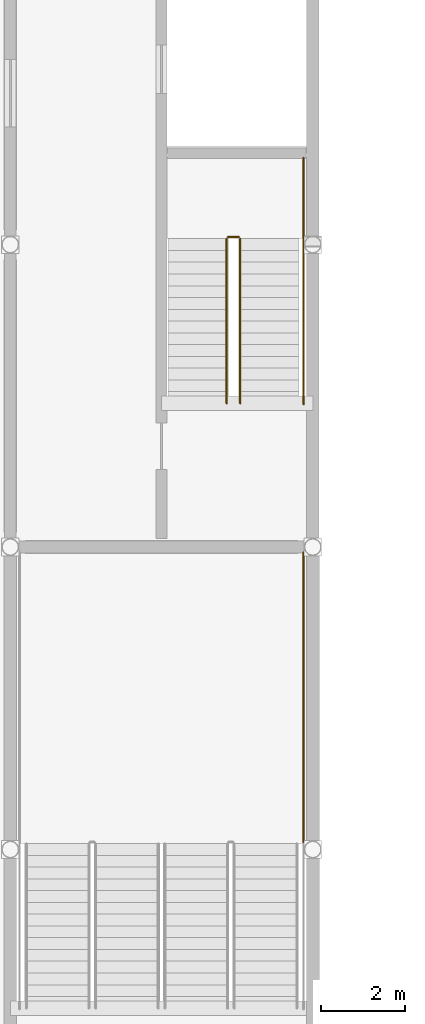
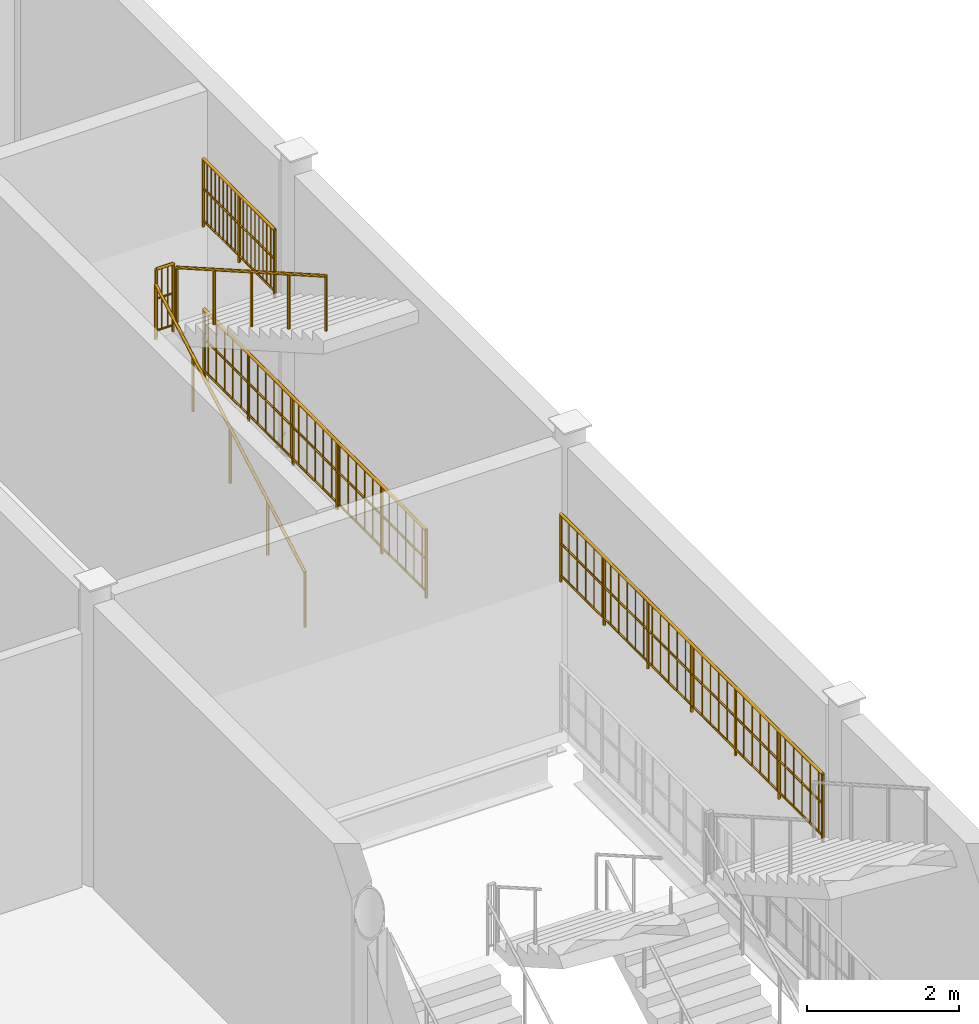
# One storey, part 120 of 120: 6 railings.
"""IFC4 building model written with IfcOpenShell, lengths in metres."""

from ifc_helpers import new_model, si_unit, direction, frame, origin, origin_2d, place, context, subcontext, project, spatial, circle, extrude, material, type_object, element, save


model = new_model("IFC4")

# Units and contexts
model_context = context("Model", 3, precision=1e-05, world=origin(), true_north=direction((0.0, 1.0)))
body_context = subcontext(model_context, "Body", "Model", "MODEL_VIEW")
ifc_project = project(units=[si_unit("LENGTHUNIT", "METRE"), si_unit("AREAUNIT", "SQUARE_METRE"), si_unit("VOLUMEUNIT", "CUBIC_METRE"), si_unit("PLANEANGLEUNIT", "RADIAN"), si_unit("MASSUNIT", "GRAM", prefix="KILO")], contexts=[model_context])

# Site, building, storey
site_placement = place(None, origin())
site = spatial("IfcSite", under=ifc_project, at=site_placement, CompositionType="ELEMENT")
building_placement = place(site_placement, origin())
building = spatial("IfcBuilding", under=site, at=building_placement, Name="Vesperath Aquatics Centre", CompositionType="ELEMENT")
storey_placement = place(building_placement, frame((0.0, 0.0, 10.199951171875)))
storey = spatial("IfcBuildingStorey", under=building, at=storey_placement, Name="L02", CompositionType="ELEMENT", Elevation=10.199951171875)

# Railings
ifc_material_1 = material(Name="Powder-coated galvanized steel safety guard", Category="steel")
railing_type_1 = type_object("IfcRailingType", Name="RL-GRD01", PredefinedType="GUARDRAIL", material=ifc_material_1)
railing_1_placement = place(storey_placement, frame((170.780029296875, 86.580078125, 2.400146484375)))
element("IfcRailing", 1, at=railing_1_placement, inside=storey, type_object=railing_type_1, Name="Stair ST4 Half-Landing Slot Guard GR02 L02", PredefinedType="GUARDRAIL", context=body_context, shape_type="SweptSolid", body=[
    extrude(circle(Radius=0.02392578125, at=origin_2d()), frame((0.0, 0.0, 1.0859375), z_axis=(1.0, 0.0, 0.0), x_axis=(0.0, 1.0, 0.0)), (0.0, 0.0, 1.0), 0.260009765625),
    extrude(circle(Radius=0.01611328125, at=origin_2d()), frame((0.0, 0.0, 0.10009765625), z_axis=(1.0, 0.0, 0.0), x_axis=(0.0, 1.0, 0.0)), (0.0, 0.0, 1.0), 0.260009765625),
    extrude(circle(Radius=0.01611328125, at=origin_2d()), frame((0.0, 0.0, 0.610595703125), z_axis=(1.0, 0.0, 0.0), x_axis=(0.0, 1.0, 0.0)), (0.0, 0.0, 1.0), 0.260009765625),
    extrude(circle(Radius=0.009033203125, at=origin_2d()), frame((0.086669921875, 0.0, 0.10009765625)), (0.0, 0.0, 1.0), 0.9619140625),
    extrude(circle(Radius=0.009033203125, at=origin_2d()), frame((0.17333984375, 0.0, 0.10009765625)), (0.0, 0.0, 1.0), 0.9619140625),
    extrude(circle(Radius=0.02197265625, at=origin_2d()), origin(), (0.0, 0.0, 1.0), 1.0859375),
    extrude(circle(Radius=0.02197265625, at=origin_2d()), frame((0.260009765625, 0.0, 0.0)), (0.0, 0.0, 1.0), 1.0859375),
])
railing_2_placement = place(storey_placement, frame((172.580078125, 86.580078125, 2.400146484375)))
element("IfcRailing", 2, at=railing_2_placement, inside=storey, type_object=railing_type_1, Name="Stair ST4 Half-Landing Wall Guard GR02 L02", PredefinedType="GUARDRAIL", context=body_context, shape_type="SweptSolid", body=[
    extrude(circle(Radius=0.02392578125, at=origin_2d()), frame((0.0, 0.0, 1.0859375), z_axis=(0.0, 1.0, 0.0), x_axis=(-1.0, 0.0, 0.0)), (0.0, 0.0, 1.0), 1.8798828125),
    extrude(circle(Radius=0.01611328125, at=origin_2d()), frame((0.0, 0.0, 0.10009765625), z_axis=(0.0, 1.0, 0.0), x_axis=(-1.0, 0.0, 0.0)), (0.0, 0.0, 1.0), 1.8798828125),
    extrude(circle(Radius=0.01611328125, at=origin_2d()), frame((0.0, 0.0, 0.610595703125), z_axis=(0.0, 1.0, 0.0), x_axis=(-1.0, 0.0, 0.0)), (0.0, 0.0, 1.0), 1.8798828125),
    extrude(circle(Radius=0.009033203125, at=origin_2d()), frame((0.0, 0.1044921875, 0.10009765625)), (0.0, 0.0, 1.0), 0.9619140625),
    extrude(circle(Radius=0.009033203125, at=origin_2d()), frame((0.0, 0.208984375, 0.10009765625)), (0.0, 0.0, 1.0), 0.9619140625),
    extrude(circle(Radius=0.009033203125, at=origin_2d()), frame((0.0, 0.313232421875, 0.10009765625)), (0.0, 0.0, 1.0), 0.9619140625),
    extrude(circle(Radius=0.009033203125, at=origin_2d()), frame((0.0, 0.417724609375, 0.10009765625)), (0.0, 0.0, 1.0), 0.9619140625),
    extrude(circle(Radius=0.009033203125, at=origin_2d()), frame((0.0, 0.522216796875, 0.10009765625)), (0.0, 0.0, 1.0), 0.9619140625),
    extrude(circle(Radius=0.009033203125, at=origin_2d()), frame((0.0, 0.626708984375, 0.10009765625)), (0.0, 0.0, 1.0), 0.9619140625),
    extrude(circle(Radius=0.009033203125, at=origin_2d()), frame((0.0, 0.73095703125, 0.10009765625)), (0.0, 0.0, 1.0), 0.9619140625),
    extrude(circle(Radius=0.009033203125, at=origin_2d()), frame((0.0, 0.83544921875, 0.10009765625)), (0.0, 0.0, 1.0), 0.9619140625),
    extrude(circle(Radius=0.009033203125, at=origin_2d()), frame((0.0, 0.93994140625, 0.10009765625)), (0.0, 0.0, 1.0), 0.9619140625),
    extrude(circle(Radius=0.009033203125, at=origin_2d()), frame((0.0, 1.04443359375, 0.10009765625)), (0.0, 0.0, 1.0), 0.9619140625),
    extrude(circle(Radius=0.009033203125, at=origin_2d()), frame((0.0, 1.14892578125, 0.10009765625)), (0.0, 0.0, 1.0), 0.9619140625),
    extrude(circle(Radius=0.009033203125, at=origin_2d()), frame((0.0, 1.253173828125, 0.10009765625)), (0.0, 0.0, 1.0), 0.9619140625),
    extrude(circle(Radius=0.009033203125, at=origin_2d()), frame((0.0, 1.357666015625, 0.10009765625)), (0.0, 0.0, 1.0), 0.9619140625),
    extrude(circle(Radius=0.009033203125, at=origin_2d()), frame((0.0, 1.462158203125, 0.10009765625)), (0.0, 0.0, 1.0), 0.9619140625),
    extrude(circle(Radius=0.009033203125, at=origin_2d()), frame((0.0, 1.566650390625, 0.10009765625)), (0.0, 0.0, 1.0), 0.9619140625),
    extrude(circle(Radius=0.009033203125, at=origin_2d()), frame((0.0, 1.6708984375, 0.10009765625)), (0.0, 0.0, 1.0), 0.9619140625),
    extrude(circle(Radius=0.009033203125, at=origin_2d()), frame((0.0, 1.775390625, 0.10009765625)), (0.0, 0.0, 1.0), 0.9619140625),
    extrude(circle(Radius=0.02197265625, at=origin_2d()), origin(), (0.0, 0.0, 1.0), 1.0859375),
    extrude(circle(Radius=0.02197265625, at=origin_2d()), frame((0.0, 0.93994140625, 0.0)), (0.0, 0.0, 1.0), 1.0859375),
    extrude(circle(Radius=0.02197265625, at=origin_2d()), frame((0.0, 1.8798828125, 0.0)), (0.0, 0.0, 1.0), 1.0859375),
])
railing_3_placement = place(storey_placement, frame((172.580078125, 82.60009765625, 0.0)))
element("IfcRailing", 3, at=railing_3_placement, inside=storey, type_object=railing_type_1, Name="Stair ST4 Shaft Side Guard GR02 L02", PredefinedType="GUARDRAIL", context=body_context, shape_type="SweptSolid", body=[
    extrude(circle(Radius=0.02392578125, at=origin_2d()), frame((0.0, 0.0, 1.0859375), z_axis=(0.0, 1.0, 0.0), x_axis=(-1.0, 0.0, 0.0)), (0.0, 0.0, 1.0), 5.83984375),
    extrude(circle(Radius=0.01611328125, at=origin_2d()), frame((0.0, 0.0, 0.10009765625), z_axis=(0.0, 1.0, 0.0), x_axis=(-1.0, 0.0, 0.0)), (0.0, 0.0, 1.0), 5.83984375),
    extrude(circle(Radius=0.01611328125, at=origin_2d()), frame((0.0, 0.0, 0.610595703125), z_axis=(0.0, 1.0, 0.0), x_axis=(-1.0, 0.0, 0.0)), (0.0, 0.0, 1.0), 5.83984375),
    extrude(circle(Radius=0.009033203125, at=origin_2d()), frame((0.0, 0.108154296875, 0.10009765625)), (0.0, 0.0, 1.0), 0.9619140625),
    extrude(circle(Radius=0.009033203125, at=origin_2d()), frame((0.0, 0.324462890625, 0.10009765625)), (0.0, 0.0, 1.0), 0.9619140625),
    extrude(circle(Radius=0.009033203125, at=origin_2d()), frame((0.0, 0.540771484375, 0.10009765625)), (0.0, 0.0, 1.0), 0.9619140625),
    extrude(circle(Radius=0.009033203125, at=origin_2d()), frame((0.0, 0.757080078125, 0.10009765625)), (0.0, 0.0, 1.0), 0.9619140625),
    extrude(circle(Radius=0.009033203125, at=origin_2d()), frame((0.0, 0.973388671875, 0.10009765625)), (0.0, 0.0, 1.0), 0.9619140625),
    extrude(circle(Radius=0.009033203125, at=origin_2d()), frame((0.0, 1.189697265625, 0.10009765625)), (0.0, 0.0, 1.0), 0.9619140625),
    extrude(circle(Radius=0.009033203125, at=origin_2d()), frame((0.0, 1.406005859375, 0.10009765625)), (0.0, 0.0, 1.0), 0.9619140625),
    extrude(circle(Radius=0.009033203125, at=origin_2d()), frame((0.0, 1.6220703125, 0.10009765625)), (0.0, 0.0, 1.0), 0.9619140625),
    extrude(circle(Radius=0.009033203125, at=origin_2d()), frame((0.0, 1.83837890625, 0.10009765625)), (0.0, 0.0, 1.0), 0.9619140625),
    extrude(circle(Radius=0.009033203125, at=origin_2d()), frame((0.0, 2.0546875, 0.10009765625)), (0.0, 0.0, 1.0), 0.9619140625),
    extrude(circle(Radius=0.009033203125, at=origin_2d()), frame((0.0, 2.27099609375, 0.10009765625)), (0.0, 0.0, 1.0), 0.9619140625),
    extrude(circle(Radius=0.009033203125, at=origin_2d()), frame((0.0, 2.4873046875, 0.10009765625)), (0.0, 0.0, 1.0), 0.9619140625),
    extrude(circle(Radius=0.009033203125, at=origin_2d()), frame((0.0, 2.70361328125, 0.10009765625)), (0.0, 0.0, 1.0), 0.9619140625),
    extrude(circle(Radius=0.009033203125, at=origin_2d()), frame((0.0, 2.919921875, 0.10009765625)), (0.0, 0.0, 1.0), 0.9619140625),
    extrude(circle(Radius=0.009033203125, at=origin_2d()), frame((0.0, 3.13623046875, 0.10009765625)), (0.0, 0.0, 1.0), 0.9619140625),
    extrude(circle(Radius=0.009033203125, at=origin_2d()), frame((0.0, 3.3525390625, 0.10009765625)), (0.0, 0.0, 1.0), 0.9619140625),
    extrude(circle(Radius=0.009033203125, at=origin_2d()), frame((0.0, 3.56884765625, 0.10009765625)), (0.0, 0.0, 1.0), 0.9619140625),
    extrude(circle(Radius=0.009033203125, at=origin_2d()), frame((0.0, 3.78515625, 0.10009765625)), (0.0, 0.0, 1.0), 0.9619140625),
    extrude(circle(Radius=0.009033203125, at=origin_2d()), frame((0.0, 4.00146484375, 0.10009765625)), (0.0, 0.0, 1.0), 0.9619140625),
    extrude(circle(Radius=0.009033203125, at=origin_2d()), frame((0.0, 4.2177734375, 0.10009765625)), (0.0, 0.0, 1.0), 0.9619140625),
    extrude(circle(Radius=0.009033203125, at=origin_2d()), frame((0.0, 4.433837890625, 0.10009765625)), (0.0, 0.0, 1.0), 0.9619140625),
    extrude(circle(Radius=0.009033203125, at=origin_2d()), frame((0.0, 4.650146484375, 0.10009765625)), (0.0, 0.0, 1.0), 0.9619140625),
    extrude(circle(Radius=0.009033203125, at=origin_2d()), frame((0.0, 4.866455078125, 0.10009765625)), (0.0, 0.0, 1.0), 0.9619140625),
    extrude(circle(Radius=0.009033203125, at=origin_2d()), frame((0.0, 5.082763671875, 0.10009765625)), (0.0, 0.0, 1.0), 0.9619140625),
    extrude(circle(Radius=0.009033203125, at=origin_2d()), frame((0.0, 5.299072265625, 0.10009765625)), (0.0, 0.0, 1.0), 0.9619140625),
    extrude(circle(Radius=0.009033203125, at=origin_2d()), frame((0.0, 5.515380859375, 0.10009765625)), (0.0, 0.0, 1.0), 0.9619140625),
    extrude(circle(Radius=0.009033203125, at=origin_2d()), frame((0.0, 5.731689453125, 0.10009765625)), (0.0, 0.0, 1.0), 0.9619140625),
    extrude(circle(Radius=0.02197265625, at=origin_2d()), origin(), (0.0, 0.0, 1.0), 1.0859375),
    extrude(circle(Radius=0.02197265625, at=origin_2d()), frame((0.0, 1.16796875, 0.0)), (0.0, 0.0, 1.0), 1.0859375),
    extrude(circle(Radius=0.02197265625, at=origin_2d()), frame((0.0, 2.3359375, 0.0)), (0.0, 0.0, 1.0), 1.0859375),
    extrude(circle(Radius=0.02197265625, at=origin_2d()), frame((0.0, 3.50390625, 0.0)), (0.0, 0.0, 1.0), 1.0859375),
    extrude(circle(Radius=0.02197265625, at=origin_2d()), frame((0.0, 4.671875, 0.0)), (0.0, 0.0, 1.0), 1.0859375),
    extrude(circle(Radius=0.02197265625, at=origin_2d()), frame((0.0, 5.83984375, 0.0)), (0.0, 0.0, 1.0), 1.0859375),
])
railing_4_placement = place(storey_placement, frame((172.580078125, 72.179931640625, 2.400146484375)))
element("IfcRailing", 4, at=railing_4_placement, inside=storey, type_object=railing_type_1, Name="Stair ST13B Half-Landing Wall Guard GR02 L02", PredefinedType="GUARDRAIL", context=body_context, shape_type="SweptSolid", body=[
    extrude(circle(Radius=0.02392578125, at=origin_2d()), frame((0.0, 0.0, 1.0859375), z_axis=(0.0, 1.0, 0.0), x_axis=(-1.0, 0.0, 0.0)), (0.0, 0.0, 1.0), 6.89013671875),
    extrude(circle(Radius=0.01611328125, at=origin_2d()), frame((0.0, 0.0, 0.10009765625), z_axis=(0.0, 1.0, 0.0), x_axis=(-1.0, 0.0, 0.0)), (0.0, 0.0, 1.0), 6.89013671875),
    extrude(circle(Radius=0.01611328125, at=origin_2d()), frame((0.0, 0.0, 0.610595703125), z_axis=(0.0, 1.0, 0.0), x_axis=(-1.0, 0.0, 0.0)), (0.0, 0.0, 1.0), 6.89013671875),
    extrude(circle(Radius=0.009033203125, at=origin_2d()), frame((0.0, 0.109375, 0.10009765625)), (0.0, 0.0, 1.0), 0.9619140625),
    extrude(circle(Radius=0.009033203125, at=origin_2d()), frame((0.0, 0.328125, 0.10009765625)), (0.0, 0.0, 1.0), 0.9619140625),
    extrude(circle(Radius=0.009033203125, at=origin_2d()), frame((0.0, 0.546875, 0.10009765625)), (0.0, 0.0, 1.0), 0.9619140625),
    extrude(circle(Radius=0.009033203125, at=origin_2d()), frame((0.0, 0.765625, 0.10009765625)), (0.0, 0.0, 1.0), 0.9619140625),
    extrude(circle(Radius=0.009033203125, at=origin_2d()), frame((0.0, 0.984375, 0.10009765625)), (0.0, 0.0, 1.0), 0.9619140625),
    extrude(circle(Radius=0.009033203125, at=origin_2d()), frame((0.0, 1.203125, 0.10009765625)), (0.0, 0.0, 1.0), 0.9619140625),
    extrude(circle(Radius=0.009033203125, at=origin_2d()), frame((0.0, 1.421875, 0.10009765625)), (0.0, 0.0, 1.0), 0.9619140625),
    extrude(circle(Radius=0.009033203125, at=origin_2d()), frame((0.0, 1.640625, 0.10009765625)), (0.0, 0.0, 1.0), 0.9619140625),
    extrude(circle(Radius=0.009033203125, at=origin_2d()), frame((0.0, 1.859130859375, 0.10009765625)), (0.0, 0.0, 1.0), 0.9619140625),
    extrude(circle(Radius=0.009033203125, at=origin_2d()), frame((0.0, 2.077880859375, 0.10009765625)), (0.0, 0.0, 1.0), 0.9619140625),
    extrude(circle(Radius=0.009033203125, at=origin_2d()), frame((0.0, 2.296630859375, 0.10009765625)), (0.0, 0.0, 1.0), 0.9619140625),
    extrude(circle(Radius=0.009033203125, at=origin_2d()), frame((0.0, 2.515380859375, 0.10009765625)), (0.0, 0.0, 1.0), 0.9619140625),
    extrude(circle(Radius=0.009033203125, at=origin_2d()), frame((0.0, 2.734130859375, 0.10009765625)), (0.0, 0.0, 1.0), 0.9619140625),
    extrude(circle(Radius=0.009033203125, at=origin_2d()), frame((0.0, 2.952880859375, 0.10009765625)), (0.0, 0.0, 1.0), 0.9619140625),
    extrude(circle(Radius=0.009033203125, at=origin_2d()), frame((0.0, 3.171630859375, 0.10009765625)), (0.0, 0.0, 1.0), 0.9619140625),
    extrude(circle(Radius=0.009033203125, at=origin_2d()), frame((0.0, 3.390380859375, 0.10009765625)), (0.0, 0.0, 1.0), 0.9619140625),
    extrude(circle(Radius=0.009033203125, at=origin_2d()), frame((0.0, 3.609130859375, 0.10009765625)), (0.0, 0.0, 1.0), 0.9619140625),
    extrude(circle(Radius=0.009033203125, at=origin_2d()), frame((0.0, 3.827880859375, 0.10009765625)), (0.0, 0.0, 1.0), 0.9619140625),
    extrude(circle(Radius=0.009033203125, at=origin_2d()), frame((0.0, 4.046630859375, 0.10009765625)), (0.0, 0.0, 1.0), 0.9619140625),
    extrude(circle(Radius=0.009033203125, at=origin_2d()), frame((0.0, 4.265380859375, 0.10009765625)), (0.0, 0.0, 1.0), 0.9619140625),
    extrude(circle(Radius=0.009033203125, at=origin_2d()), frame((0.0, 4.484130859375, 0.10009765625)), (0.0, 0.0, 1.0), 0.9619140625),
    extrude(circle(Radius=0.009033203125, at=origin_2d()), frame((0.0, 4.702880859375, 0.10009765625)), (0.0, 0.0, 1.0), 0.9619140625),
    extrude(circle(Radius=0.009033203125, at=origin_2d()), frame((0.0, 4.921630859375, 0.10009765625)), (0.0, 0.0, 1.0), 0.9619140625),
    extrude(circle(Radius=0.009033203125, at=origin_2d()), frame((0.0, 5.140380859375, 0.10009765625)), (0.0, 0.0, 1.0), 0.9619140625),
    extrude(circle(Radius=0.009033203125, at=origin_2d()), frame((0.0, 5.35888671875, 0.10009765625)), (0.0, 0.0, 1.0), 0.9619140625),
    extrude(circle(Radius=0.009033203125, at=origin_2d()), frame((0.0, 5.57763671875, 0.10009765625)), (0.0, 0.0, 1.0), 0.9619140625),
    extrude(circle(Radius=0.009033203125, at=origin_2d()), frame((0.0, 5.79638671875, 0.10009765625)), (0.0, 0.0, 1.0), 0.9619140625),
    extrude(circle(Radius=0.009033203125, at=origin_2d()), frame((0.0, 6.01513671875, 0.10009765625)), (0.0, 0.0, 1.0), 0.9619140625),
    extrude(circle(Radius=0.009033203125, at=origin_2d()), frame((0.0, 6.23388671875, 0.10009765625)), (0.0, 0.0, 1.0), 0.9619140625),
    extrude(circle(Radius=0.009033203125, at=origin_2d()), frame((0.0, 6.45263671875, 0.10009765625)), (0.0, 0.0, 1.0), 0.9619140625),
    extrude(circle(Radius=0.009033203125, at=origin_2d()), frame((0.0, 6.67138671875, 0.10009765625)), (0.0, 0.0, 1.0), 0.9619140625),
    extrude(circle(Radius=0.02197265625, at=origin_2d()), origin(), (0.0, 0.0, 1.0), 1.0859375),
    extrude(circle(Radius=0.02197265625, at=origin_2d()), frame((0.0, 1.1484375, 0.0)), (0.0, 0.0, 1.0), 1.0859375),
    extrude(circle(Radius=0.02197265625, at=origin_2d()), frame((0.0, 2.296630859375, 0.0)), (0.0, 0.0, 1.0), 1.0859375),
    extrude(circle(Radius=0.02197265625, at=origin_2d()), frame((0.0, 3.445068359375, 0.0)), (0.0, 0.0, 1.0), 1.0859375),
    extrude(circle(Radius=0.02197265625, at=origin_2d()), frame((0.0, 4.593505859375, 0.0)), (0.0, 0.0, 1.0), 1.0859375),
    extrude(circle(Radius=0.02197265625, at=origin_2d()), frame((0.0, 5.74169921875, 0.0)), (0.0, 0.0, 1.0), 1.0859375),
    extrude(circle(Radius=0.02197265625, at=origin_2d()), frame((0.0, 6.89013671875, 0.0)), (0.0, 0.0, 1.0), 1.0859375),
])
ifc_material_2 = material(Name="Brushed stainless steel tubular handrail", Category="steel")
railing_type_2 = type_object("IfcRailingType", Name="RL-HND01", PredefinedType="HANDRAIL", material=ifc_material_2)
railing_5_placement = place(storey_placement, frame((170.75, 82.6201171875, 0.16015625)))
element("IfcRailing", 5, at=railing_5_placement, inside=storey, type_object=railing_type_2, Name="Stair ST4 Flight 1 Handrail HR01 L02", PredefinedType="HANDRAIL", context=body_context, shape_type="SweptSolid", body=[
    extrude(circle(Radius=0.02392578125, at=origin_2d()), frame((0.0, 0.0, 0.8759765625), z_axis=(0.0, 0.868239814368, 0.496144761885), x_axis=(-1.0, 0.0, 0.0)), (0.0, 0.0, 1.0), 4.514892578125),
    extrude(circle(Radius=0.02197265625, at=origin_2d()), origin(), (0.0, 0.0, 1.0), 0.8759765625),
    extrude(circle(Radius=0.02197265625, at=origin_2d()), frame((0.0, 0.97998046875, 0.56005859375)), (0.0, 0.0, 1.0), 0.8759765625),
    extrude(circle(Radius=0.02197265625, at=origin_2d()), frame((0.0, 1.9599609375, 1.1201171875)), (0.0, 0.0, 1.0), 0.8759765625),
    extrude(circle(Radius=0.02197265625, at=origin_2d()), frame((0.0, 2.93994140625, 1.679931640625)), (0.0, 0.0, 1.0), 0.8759765625),
    extrude(circle(Radius=0.02197265625, at=origin_2d()), frame((0.0, 3.919921875, 2.239990234375)), (0.0, 0.0, 1.0), 0.8759765625),
])
railing_6_placement = place(storey_placement, frame((171.070068359375, 86.5400390625, 2.56005859375)))
element("IfcRailing", 6, at=railing_6_placement, inside=storey, type_object=railing_type_2, Name="Stair ST4 Flight 2 Handrail HR01 L02", PredefinedType="HANDRAIL", context=body_context, shape_type="SweptSolid", body=[
    extrude(circle(Radius=0.02392578125, at=origin_2d()), frame((0.0, 0.0, 0.8759765625), z_axis=(0.0, -0.868239814368, 0.496144761885), x_axis=(1.0, 0.0, 0.0)), (0.0, 0.0, 1.0), 4.514892578125),
    extrude(circle(Radius=0.02197265625, at=origin_2d()), origin(), (0.0, 0.0, 1.0), 0.8759765625),
    extrude(circle(Radius=0.02197265625, at=origin_2d()), frame((0.0, -0.97998046875, 0.56005859375)), (0.0, 0.0, 1.0), 0.8759765625),
    extrude(circle(Radius=0.02197265625, at=origin_2d()), frame((0.0, -1.9599609375, 1.1201171875)), (0.0, 0.0, 1.0), 0.8759765625),
    extrude(circle(Radius=0.02197265625, at=origin_2d()), frame((0.0, -2.93994140625, 1.679931640625)), (0.0, 0.0, 1.0), 0.8759765625),
    extrude(circle(Radius=0.02197265625, at=origin_2d()), frame((0.0, -3.919921875, 2.239990234375)), (0.0, 0.0, 1.0), 0.8759765625),
])

save(model, "model.ifc")
